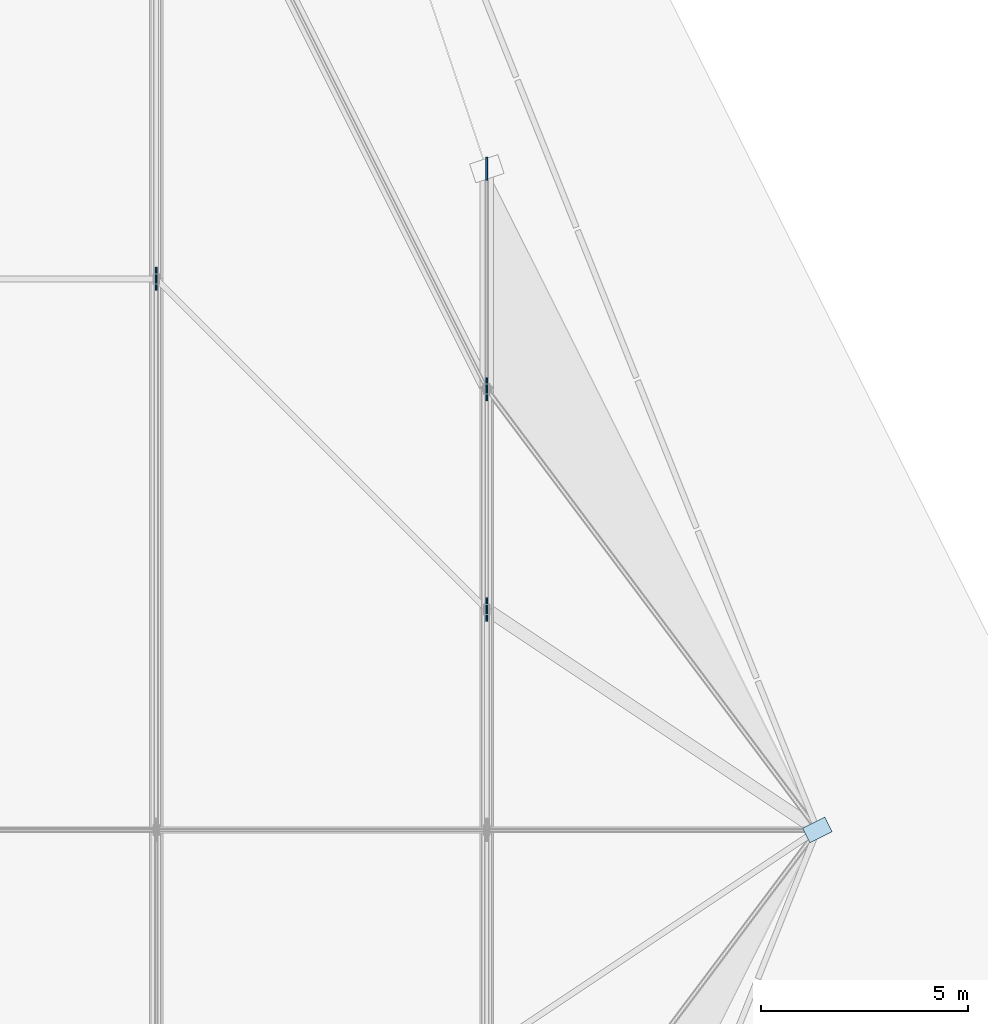
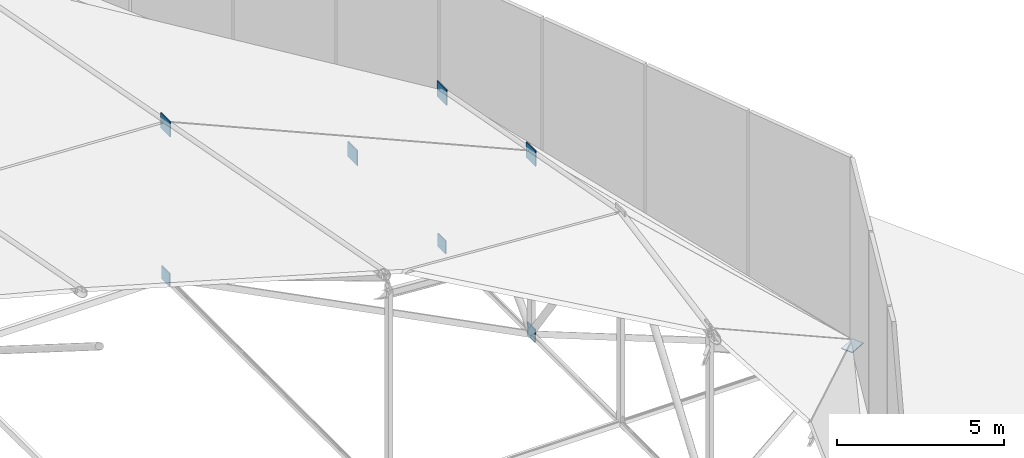
# One storey, part 27 of 30: 8 plates.
"""IFC4 building model written with IfcOpenShell, lengths in metres."""

from ifc_helpers import new_model, si_unit, direction, frame, origin, origin_2d, place, context, subcontext, project, spatial, rectangle, extrude, material, layer, layer_set, type_object, element, save


model = new_model("IFC4")

# Units and contexts
model_context = context("Model", 3, precision=1e-05, world=origin(), true_north=direction((0.0, 1.0)))
body_context = subcontext(model_context, "Body", "Model", "MODEL_VIEW")
ifc_project = project(units=[si_unit("LENGTHUNIT", "METRE"), si_unit("AREAUNIT", "SQUARE_METRE"), si_unit("VOLUMEUNIT", "CUBIC_METRE"), si_unit("PLANEANGLEUNIT", "RADIAN"), si_unit("MASSUNIT", "GRAM", prefix="KILO")], contexts=[model_context])

# Site, building, storey
site_placement = place(None, origin())
site = spatial("IfcSite", under=ifc_project, at=site_placement, CompositionType="ELEMENT")
building_placement = place(site_placement, origin())
building = spatial("IfcBuilding", under=site, at=building_placement, Name="Tazarka Park Arena", CompositionType="ELEMENT")
storey_placement = place(building_placement, frame((0.0, 0.0, 29.39990234375)))
storey = spatial("IfcBuildingStorey", under=building, at=storey_placement, Name="Roof", CompositionType="ELEMENT", Elevation=29.39990234375)

# Plates
ifc_material_1 = material(Name="Steel S460", Category="steel")
ifc_layer_1 = layer(ifc_material_1, 0.030029296875, Name="Steel S460")
ifc_layer_set_1 = layer_set([ifc_layer_1], Name="Steel S460")
plate_type_1 = type_object("IfcPlateType", Name="PLT-PL-01", PredefinedType="SHEET", material=ifc_layer_set_1)
plate_placement = place(storey_placement, frame((128.0, 64.0, -0.134765625), z_axis=(0.0, 0.0, 1.0), x_axis=(0.89438856037, 0.447290848419, 0.0)))
element("IfcPlate", 1, at=plate_placement, inside=storey, type_object=plate_type_1, Name="RPL-08", PredefinedType="SHEET", context=body_context, shape_type="SweptSolid", body=[
    extrude(rectangle(XDim=0.60009765625, YDim=0.39990234375, at=origin_2d()), origin(), (0.0, 0.0, 1.0), 0.030029296875),
])
ifc_material_2 = material(Name="Steel S460", Category="steel")
ifc_layer_2 = layer(ifc_material_2, 0.0439453125, Name="Steel S460")
ifc_layer_set_2 = layer_set([ifc_layer_2], Name="Steel S460")
plate_type_2 = type_object("IfcPlateType", Name="PLT-PL-07", PredefinedType="SHEET", material=ifc_layer_set_2)
for number, where, z_axis, x_axis, name in (
    (2, (112.0, 77.333251953125, 5.184814453125), (0.0, 0.0, 1.0), (1.0, 0.0, 0.0), "ANP-06-4"),
    (3, (120.0, 69.333251953125, 6.17138671875), (0.0, 0.0, 1.0), (1.0, 0.0, 0.0), "ANP-07-4"),
    (4, (120.0, 74.666748046875, 5.165771484375), (0.0, 0.0, 1.0), (1.0, 0.0, 0.0), "ANP-07-5"),
    (5, (120.0, 80.0, -0.280029296875), (0.0, 0.0, 1.0), (1.0, 0.0, 0.0), "ANP-07-6"),
):
    element("IfcPlate", number, at=place(storey_placement, frame(where, z_axis=z_axis, x_axis=x_axis)), inside=storey, type_object=plate_type_2, Name=name, PredefinedType="SHEET", context=body_context, shape_type="SweptSolid", body=[
        extrude(rectangle(XDim=0.0400390625, YDim=0.56005859375, at=origin_2d()), origin(), (0.0, 0.0, 1.0), 0.56005859375),
    ])
ifc_material_3 = material(Name="Steel S460", Category="steel")
ifc_layer_3 = layer(ifc_material_3, 0.035888671875, Name="Steel S460")
ifc_layer_set_3 = layer_set([ifc_layer_3], Name="Steel S460")
plate_type_3 = type_object("IfcPlateType", Name="PLT-PL-15", PredefinedType="USERDEFINED", material=ifc_layer_set_3)
for number, where, z_axis, x_axis, name in (
    (6, (112.0, 77.333251953125, -0.289794921875), (0.0, 0.0, 1.0), (1.0, 0.0, 0.0), "ANB-06-4"),
    (7, (120.0, 69.333251953125, -0.289794921875), (0.0, 0.0, 1.0), (1.0, 0.0, 0.0), "ANB-07-4"),
    (8, (120.0, 74.666748046875, -0.289794921875), (0.0, 0.0, 1.0), (1.0, 0.0, 0.0), "ANB-07-5"),
):
    element("IfcPlate", number, at=place(storey_placement, frame(where, z_axis=z_axis, x_axis=x_axis)), inside=storey, type_object=plate_type_3, Name=name, ObjectType="STIFFENER", PredefinedType="USERDEFINED", context=body_context, shape_type="SweptSolid", body=[
        extrude(rectangle(XDim=0.035888671875, YDim=0.47998046875, at=origin_2d()), origin(), (0.0, 0.0, 1.0), 0.47998046875),
    ])

save(model, "model.ifc")
